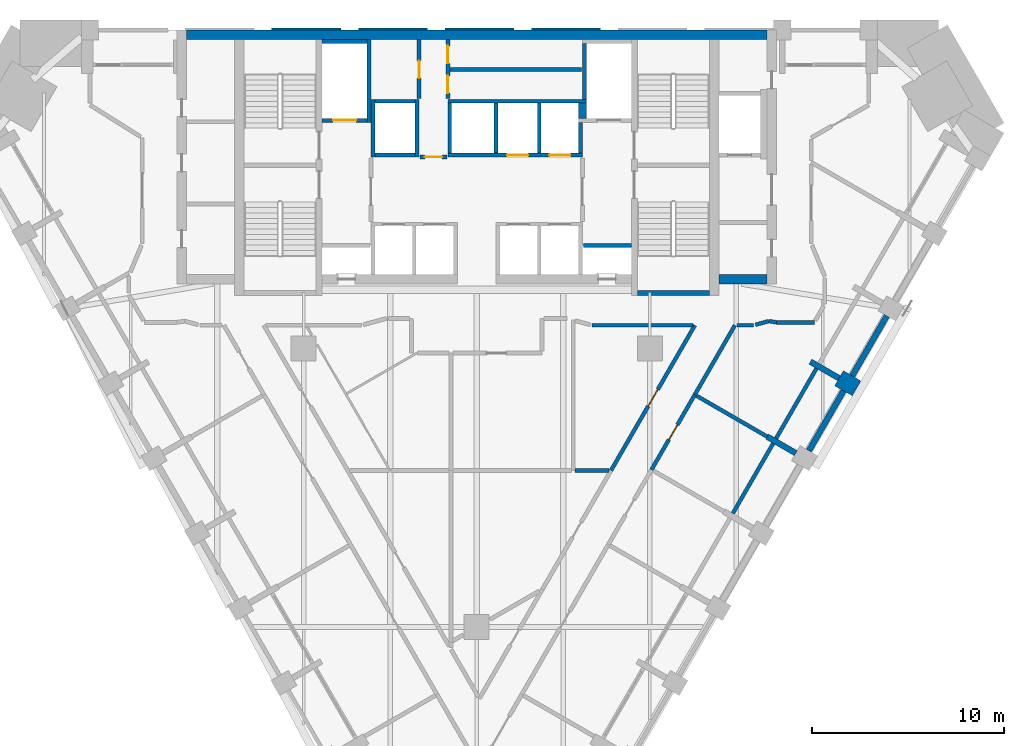
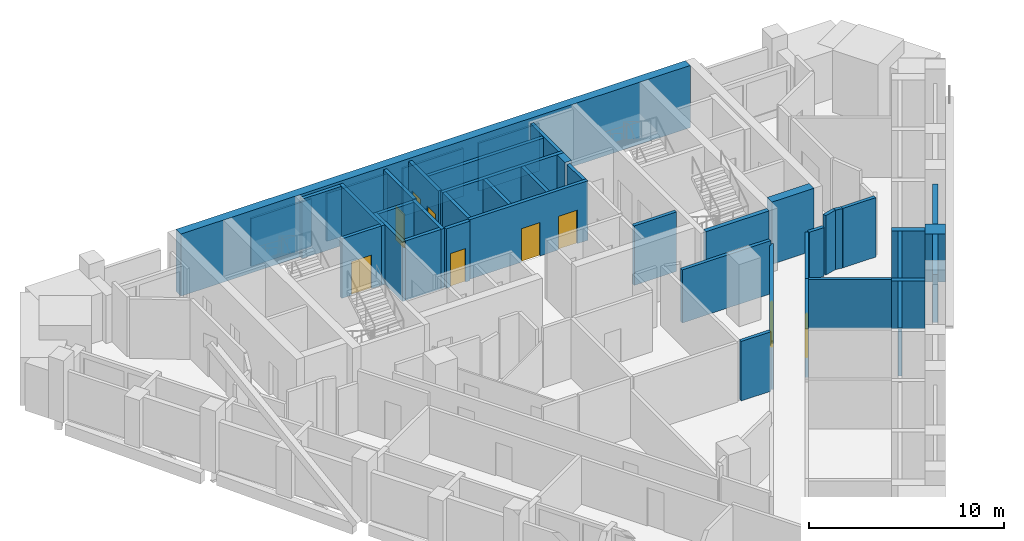
# One storey, part 6 of 9: 44 walls, 9 doors, 9 openings.
"""IFC4 building model written with IfcOpenShell, lengths in metres."""

from ifc_helpers import new_model, si_unit, direction, frame, frame_2d, origin, place, context, subcontext, project, spatial, polyline, rectangle, outline, extrude, material, layer, layer_set, type_object, element, fill, save


model = new_model("IFC4")

# Units and contexts
model_context = context("Model", 3, precision=1e-05, world=origin(), true_north=direction((0.0, 1.0)))
body_context = subcontext(model_context, "Body", "Model", "MODEL_VIEW")
ifc_project = project(units=[si_unit("LENGTHUNIT", "METRE"), si_unit("AREAUNIT", "SQUARE_METRE"), si_unit("VOLUMEUNIT", "CUBIC_METRE"), si_unit("PLANEANGLEUNIT", "RADIAN"), si_unit("MASSUNIT", "GRAM", prefix="KILO")], contexts=[model_context])

# Site, building, storey
site_placement = place(None, origin())
site = spatial("IfcSite", under=ifc_project, at=site_placement, CompositionType="ELEMENT")
building_placement = place(site_placement, origin())
building = spatial("IfcBuilding", under=site, at=building_placement, Name="Calabash Gate Tower", CompositionType="ELEMENT")
storey_placement = place(building_placement, frame((0.0, 0.0, 160.199951171875)))
storey = spatial("IfcBuildingStorey", under=building, at=storey_placement, Name="L37", CompositionType="ELEMENT", Elevation=160.199951171875)

# Walls
ifc_material_1 = material(Name="Terracotta brick masonry, exposed face", Category="masonry")
ifc_layer_1 = layer(ifc_material_1, 1.050048828125)
ifc_layer_set_1 = layer_set([ifc_layer_1], Name="Brick end wall 1050")
wall_type_1 = type_object("IfcWallType", Name="Brick end wall 1050", PredefinedType="SOLIDWALL", material=ifc_layer_set_1)
wall_1_placement = place(storey_placement, frame((19.7587890625, 0.417724609375, 0.0), z_axis=(0.0, 0.0, 1.0), x_axis=(-0.86592997719, 0.500165247297, 0.0)))
element("IfcWall", 1, at=wall_1_placement, inside=storey, type_object=wall_type_1, Name="Brick pier S10 SE4.5", PredefinedType="SOLIDWALL", context=body_context, shape_type="SweptSolid", body=[
    extrude(rectangle(XDim=1.050048828125, YDim=0.89990234375, at=frame_2d((0.52490234375, 0.0))), origin(), (0.0, 0.0, 1.0), 3.0),
])
ifc_material_2 = material(Name="Terracotta brick masonry, exposed face", Category="masonry")
ifc_layer_2 = layer(ifc_material_2, 0.300048828125)
ifc_layer_set_2 = layer_set([ifc_layer_2], Name="Brick infill panel wall 300")
wall_type_2 = type_object("IfcWallType", Name="Brick infill panel wall 300", PredefinedType="SOLIDWALL", material=ifc_layer_set_2)
wall_2_placement = place(storey_placement, frame((17.279296875, -2.8271484375, 0.0), z_axis=(0.0, 0.0, 1.0), x_axis=(0.500012057535, 0.866018442252, 0.0)))
element("IfcWall", 2, at=wall_2_placement, inside=storey, type_object=wall_type_2, Name="Brick panel S10 SE4.5", PredefinedType="SOLIDWALL", context=body_context, shape_type="SweptSolid", body=[
    extrude(rectangle(XDim=3.60009765625, YDim=0.300048828125, at=frame_2d((1.800048828125, 0.0))), origin(), (0.0, 0.0, 1.0), 3.0),
])
wall_3_placement = place(storey_placement, frame((19.529296875, 1.070068359375, 0.0), z_axis=(0.0, 0.0, 1.0), x_axis=(0.50001992892, 0.866013897511, 0.0)))
element("IfcWall", 3, at=wall_3_placement, inside=storey, type_object=wall_type_2, Name="Brick panel S10 SE4.6", PredefinedType="SOLIDWALL", context=body_context, shape_type="SweptSolid", body=[
    extrude(rectangle(XDim=3.599365234375, YDim=0.300048828125, at=frame_2d((1.7998046875, 0.0))), origin(), (0.0, 0.0, 1.0), 3.0),
])
ifc_material_3 = material(Name="Terracotta brick masonry, exposed face", Category="masonry")
ifc_layer_3 = layer(ifc_material_3, 0.300048828125)
ifc_layer_set_3 = layer_set([ifc_layer_3], Name="Brick loggia cheek wall 300")
wall_type_3 = type_object("IfcWallType", Name="Brick loggia cheek wall 300", PredefinedType="SOLIDWALL", material=ifc_layer_set_3)
for number, where, z_axis, x_axis, name in (
    (4, (16.599365234375, -2.954345703125, 0.0), (0.0, 0.0, 1.0), (-0.86597814115, 0.500081852351, 0.0), "Loggia cheek S10 SE4.4"),
    (5, (18.849609375, 0.94287109375, 0.0), (0.0, 0.0, 1.0), (-0.866074815912, 0.499914405916, 0.0), "Loggia cheek S10 SE4.5"),
):
    element("IfcWall", number, at=place(storey_placement, frame(where, z_axis=z_axis, x_axis=x_axis)), inside=storey, type_object=wall_type_3, Name=name, PredefinedType="SOLIDWALL", context=body_context, shape_type="SweptSolid", body=[
        extrude(rectangle(XDim=1.724853515625, YDim=0.300048828125, at=frame_2d((0.8623046875, 0.0))), origin(), (0.0, 0.0, 1.0), 3.0),
    ])
ifc_material_4 = material(Name="Concrete C70/85", Category="concrete")
ifc_layer_4 = layer(ifc_material_4, 0.25)
ifc_layer_set_4 = layer_set([ifc_layer_4], Name="Core wall 250 Concrete C70/85")
wall_type_4 = type_object("IfcWallType", Name="Core wall 250 Concrete C70/85", PredefinedType="SHEAR", material=ifc_layer_set_4)
wall_4_placement = place(storey_placement, frame((8.35009765625, 5.377685546875, 0.0), z_axis=(0.0, 0.0, 1.0), x_axis=(1.0, 0.0, 0.0)))
element("IfcWall", 6, at=wall_4_placement, inside=storey, type_object=wall_type_4, Name="Core wall Z3-SSE L37", PredefinedType="SHEAR", context=body_context, shape_type="SweptSolid", body=[
    extrude(rectangle(XDim=3.75, YDim=0.25, at=frame_2d((1.875, 0.0))), origin(), (0.0, 0.0, 1.0), 3.900146484375),
])
ifc_material_5 = material(Name="Concrete C70/85", Category="concrete")
ifc_layer_5 = layer(ifc_material_5, 0.5)
ifc_layer_set_5 = layer_set([ifc_layer_5], Name="Core wall 500 Concrete C70/85")
wall_type_5 = type_object("IfcWallType", Name="Core wall 500 Concrete C70/85", PredefinedType="SHEAR", material=ifc_layer_set_5)
wall_5_placement = place(storey_placement, frame((-15.10009765625, 18.802490234375, 0.0), z_axis=(0.0, 0.0, 1.0), x_axis=(1.0, 0.0, 0.0)))
element("IfcWall", 7, at=wall_5_placement, inside=storey, type_object=wall_type_5, Name="Core wall Z3-N L37", PredefinedType="SHEAR", context=body_context, shape_type="SweptSolid", body=[
    extrude(rectangle(XDim=30.2001953125, YDim=0.5, at=frame_2d((15.10009765625, 0.0))), origin(), (0.0, 0.0, 1.0), 3.900146484375),
])
wall_6_placement = place(storey_placement, frame((12.60009765625, 6.1025390625, 0.0), z_axis=(0.0, 0.0, 1.0), x_axis=(1.0, 0.0, 0.0)))
element("IfcWall", 8, at=wall_6_placement, inside=storey, type_object=wall_type_5, Name="Core wall Z3-SE L37", PredefinedType="SHEAR", context=body_context, shape_type="SweptSolid", body=[
    extrude(rectangle(XDim=2.5, YDim=0.5, at=frame_2d((1.25, 0.0))), origin(), (0.0, 0.0, 1.0), 3.900146484375),
])
ifc_material_6 = material(Name="Gypsum board on steel studs, mineral wool", Category="steel")
ifc_layer_6 = layer(ifc_material_6, 0.199951171875)
ifc_layer_set_6 = layer_set([ifc_layer_6], Name="Partition 200 gypsum board EI 60")
wall_type_6 = type_object("IfcWallType", Name="Partition 200 gypsum board EI 60", PredefinedType="PARTITIONING", material=ifc_layer_set_6)
wall_7_placement = place(storey_placement, frame((5.120849609375, -3.855712890625, 0.0), z_axis=(0.0, 0.0, 1.0), x_axis=(0.999999529486, -0.000970066062, 0.0)))
element("IfcWall", 9, at=wall_7_placement, inside=storey, type_object=wall_type_6, Name="Partition", PredefinedType="PARTITIONING", context=body_context, shape_type="SweptSolid", body=[
    extrude(rectangle(XDim=1.76171875, YDim=0.199951171875, at=frame_2d((0.880859375, 0.0))), origin(), (0.0, 0.0, 1.0), 3.72998046875),
])

# Wall, opening, door
wall_8_placement = place(storey_placement, frame((6.983642578125, -3.85546875, 0.0), z_axis=(0.0, 0.0, 1.0), x_axis=(0.500195547237, 0.865912475095, 0.0)))
wall_8 = element("IfcWall", 10, at=wall_8_placement, inside=storey, type_object=wall_type_6, Name="Partition", PredefinedType="PARTITIONING", context=body_context, shape_type="SweptSolid", body=[
    extrude(rectangle(XDim=8.72509765625, YDim=0.199951171875, at=frame_2d((4.362548828125, 0.0))), origin(), (0.0, 0.0, 1.0), 3.052001953125),
])
opening_1_placement = place(wall_8_placement, frame((3.861328125, 0.0, 0.0)))
opening_1 = element("IfcOpeningElement", 11, at=opening_1_placement, cuts=wall_8, Name="Opening 36-38-007", PredefinedType="OPENING", context=body_context, shape_type="SweptSolid", body=[
    extrude(rectangle(XDim=1.0, YDim=2.10009765625, at=frame_2d((0.5, 1.050048828125))), frame((0.0, 0.10986328125, 0.0), z_axis=(0.0, -1.0, 0.0), x_axis=(1.0, 0.0, 0.0)), (0.0, 0.0, 1.0), 0.219970703125),
])
ifc_material_7 = material(Name="Steel fire door set with fire-resisting glazing", Category="steel")
door_type_1 = type_object("IfcDoorType", Name="LD2 Meeting room door 1000x2100", OperationType="NOTDEFINED", PredefinedType="DOOR", material=ifc_material_7)
door_1_placement = place(opening_1_placement, origin())
door_1 = element("IfcDoor", 12, at=door_1_placement, inside=storey, type_object=door_type_1, Name="Meeting room door", OperationType="SINGLE_SWING_LEFT", OverallHeight=2.10009765625, OverallWidth=1.0, PredefinedType="DOOR", context=body_context, shape_type="SweptSolid", body=[
    extrude(rectangle(XDim=1.0, YDim=2.10009765625, at=frame_2d((0.5, 1.050048828125))), frame((0.0, 0.02490234375, 0.0), z_axis=(0.0, -1.0, 0.0), x_axis=(1.0, 0.0, 0.0)), (0.0, 0.0, 1.0), 0.050048828125),
])
fill(opening_1, door_1)

# Wall
wall_9_placement = place(storey_placement, frame((11.426513671875, 0.03466796875, 0.0), z_axis=(0.0, 0.0, 1.0), x_axis=(0.865857330643, -0.500290998291, 0.0)))
element("IfcWall", 13, at=wall_9_placement, inside=storey, type_object=wall_type_6, Name="Partition", PredefinedType="PARTITIONING", context=body_context, shape_type="SweptSolid", body=[
    extrude(rectangle(XDim=4.24951171875, YDim=0.199951171875, at=frame_2d((2.124755859375, 0.0))), origin(), (0.0, 0.0, 1.0), 3.052001953125),
])

# Wall, opening, door
wall_10_placement = place(storey_placement, frame((9.09033203125, -3.814697265625, 0.0), z_axis=(0.0, 0.0, 1.0), x_axis=(0.499972939495, 0.866041026611, 0.0)))
wall_10 = element("IfcWall", 14, at=wall_10_placement, inside=storey, type_object=wall_type_6, Name="Partition", PredefinedType="PARTITIONING", context=body_context, shape_type="SweptSolid", body=[
    extrude(rectangle(XDim=4.499755859375, YDim=0.199951171875, at=frame_2d((2.25, 0.0))), origin(), (0.0, 0.0, 1.0), 3.052001953125),
])
opening_2_placement = place(wall_10_placement, frame((1.7998046875, 0.0, 0.0)))
opening_2 = element("IfcOpeningElement", 15, at=opening_2_placement, cuts=wall_10, Name="Opening 36-38-005", PredefinedType="OPENING", context=body_context, shape_type="SweptSolid", body=[
    extrude(rectangle(XDim=0.89990234375, YDim=2.10009765625, at=frame_2d((0.449951171875, 1.050048828125))), frame((0.0, 0.10986328125, 0.0), z_axis=(0.0, -1.0, 0.0), x_axis=(1.0, 0.0, 0.0)), (0.0, 0.0, 1.0), 0.219970703125),
])
ifc_material_8 = material(Name="Painted timber door", Category="wood")
door_type_2 = type_object("IfcDoorType", Name="OD1 Office door 900x2100", OperationType="NOTDEFINED", PredefinedType="DOOR", material=ifc_material_8)
door_2_placement = place(opening_2_placement, origin())
door_2 = element("IfcDoor", 16, at=door_2_placement, inside=storey, type_object=door_type_2, Name="Office door", OperationType="SINGLE_SWING_RIGHT", OverallHeight=2.10009765625, OverallWidth=0.89990234375, PredefinedType="DOOR", context=body_context, shape_type="SweptSolid", body=[
    extrude(rectangle(XDim=0.89990234375, YDim=2.10009765625, at=frame_2d((0.449951171875, 1.050048828125))), frame((0.0, 0.02490234375, 0.0), z_axis=(0.0, -1.0, 0.0), x_axis=(1.0, 0.0, 0.0)), (0.0, 0.0, 1.0), 0.050048828125),
])
fill(opening_2, door_2)

# Walls
wall_11_placement = place(storey_placement, frame((6.0, 3.69970703125, 0.0), z_axis=(0.0, 0.0, 1.0), x_axis=(1.0, 0.0, 0.0)))
element("IfcWall", 17, at=wall_11_placement, inside=storey, type_object=wall_type_6, Name="Partition", PredefinedType="PARTITIONING", context=body_context, shape_type="SweptSolid", body=[
    extrude(rectangle(XDim=5.247802734375, YDim=0.199951171875, at=frame_2d((2.6240234375, 0.0))), origin(), (0.0, 0.0, 1.0), 3.33154296875),
])
wall_12_placement = place(storey_placement, frame((11.340576171875, 0.08251953125, 0.0), z_axis=(0.0, 0.0, 1.0), x_axis=(0.499673523279, 0.866213813174, 0.0)))
element("IfcWall", 18, at=wall_12_placement, inside=storey, type_object=wall_type_6, Name="Partition", PredefinedType="PARTITIONING", context=body_context, shape_type="SweptSolid", body=[
    extrude(rectangle(XDim=4.175537109375, YDim=0.199951171875, at=frame_2d((2.087890625, 0.0))), origin(), (0.0, 0.0, 1.0), 3.052001953125),
])
wall_13_placement = place(storey_placement, frame((13.52685546875, 3.699462890625, 0.0), z_axis=(0.0, 0.0, 1.0), x_axis=(1.0, 0.0, 0.0)))
element("IfcWall", 19, at=wall_13_placement, inside=storey, type_object=wall_type_6, Name="Partition", PredefinedType="PARTITIONING", context=body_context, shape_type="SweptSolid", body=[
    extrude(rectangle(XDim=0.873046875, YDim=0.199951171875, at=frame_2d((0.4365234375, 0.0))), origin(), (0.0, 0.0, 1.0), 3.052001953125),
])
wall_14_placement = place(storey_placement, frame((15.193359375, 3.91455078125, 0.0), z_axis=(0.0, 0.0, 1.0), x_axis=(0.988399116328, -0.15187885581, 0.0)))
element("IfcWall", 20, at=wall_14_placement, inside=storey, type_object=wall_type_6, Name="Partition", PredefinedType="PARTITIONING", context=body_context, shape_type="SweptSolid", body=[
    extrude(rectangle(XDim=0.41162109375, YDim=0.199951171875, at=frame_2d((0.205810546875, 0.0))), origin(), (0.0, 0.0, 1.0), 3.72998046875),
])
wall_15_placement = place(storey_placement, frame((15.60009765625, 3.85205078125, 0.0), z_axis=(0.0, 0.0, 1.0), x_axis=(1.0, 0.0, 0.0)))
element("IfcWall", 21, at=wall_15_placement, inside=storey, type_object=wall_type_6, Name="Partition", PredefinedType="PARTITIONING", context=body_context, shape_type="SweptSolid", body=[
    extrude(rectangle(XDim=1.956298828125, YDim=0.199951171875, at=frame_2d((0.97802734375, 0.0))), origin(), (0.0, 0.0, 1.0), 3.72998046875),
])
wall_16_placement = place(storey_placement, frame((14.49658203125, 3.7255859375, 0.0), z_axis=(0.0, 0.0, 1.0), x_axis=(0.965137431954, 0.26174364833, 0.0)))
element("IfcWall", 22, at=wall_16_placement, inside=storey, type_object=wall_type_6, Name="Partition", PredefinedType="PARTITIONING", context=body_context, shape_type="SweptSolid", body=[
    extrude(rectangle(XDim=0.721923828125, YDim=0.199951171875, at=frame_2d((0.36083984375, 0.0))), origin(), (0.0, 0.0, 1.0), 3.72998046875),
])
ifc_material_9 = material(Name="Concrete C40/50", Category="concrete")
ifc_layer_7 = layer(ifc_material_9, 0.199951171875)
ifc_layer_set_7 = layer_set([ifc_layer_7], Name="Shaft wall 200 Concrete C40/50")
wall_type_7 = type_object("IfcWallType", Name="Shaft wall 200 Concrete C40/50", PredefinedType="SOLIDWALL", material=ifc_layer_set_7)
wall_17_placement = place(storey_placement, frame((5.550048828125, 7.8525390625, 0.0), z_axis=(0.0, 0.0, 1.0), x_axis=(1.0, 0.0, 0.0)))
element("IfcWall", 23, at=wall_17_placement, inside=storey, type_object=wall_type_7, Name="Shaft wall", PredefinedType="SOLIDWALL", context=body_context, shape_type="SweptSolid", body=[
    extrude(rectangle(XDim=2.5, YDim=0.199951171875, at=frame_2d((1.25, 0.0))), origin(), (0.0, 0.0, 1.0), 3.72998046875),
])

# Wall, opening, door
wall_18_placement = place(storey_placement, frame((-2.949951171875, 12.45263671875, 0.0), z_axis=(0.0, 0.0, 1.0), x_axis=(1.0, 0.0, 0.0)))
wall_18 = element("IfcWall", 24, at=wall_18_placement, inside=storey, type_object=wall_type_7, Name="Shaft wall", PredefinedType="SOLIDWALL", context=body_context, shape_type="SweptSolid", body=[
    extrude(rectangle(XDim=1.39990234375, YDim=0.199951171875, at=frame_2d((0.699951171875, 0.0))), origin(), (0.0, 0.0, 1.0), 3.72998046875),
])
opening_3_placement = place(wall_18_placement, frame((0.25, 0.0, 0.0)))
opening_3 = element("IfcOpeningElement", 25, at=opening_3_placement, cuts=wall_18, Name="Opening O2-007", PredefinedType="OPENING", context=body_context, shape_type="SweptSolid", body=[
    extrude(rectangle(XDim=0.89990234375, YDim=2.10009765625, at=frame_2d((0.449951171875, 1.050048828125))), frame((0.0, 0.10986328125, 0.0), z_axis=(0.0, -1.0, 0.0), x_axis=(1.0, 0.0, 0.0)), (0.0, 0.0, 1.0), 0.219970703125),
])
ifc_material_10 = material(Name="Steel fire door set with fire-resisting glazing", Category="steel")
door_type_3 = type_object("IfcDoorType", Name="Fire door D06 900x2100 FD60", OperationType="NOTDEFINED", PredefinedType="DOOR", material=ifc_material_10)
door_3_placement = place(opening_3_placement, origin())
door_3 = element("IfcDoor", 26, at=door_3_placement, inside=storey, type_object=door_type_3, Name="Service Corridor door", OperationType="SINGLE_SWING_RIGHT", OverallHeight=2.10009765625, OverallWidth=0.89990234375, PredefinedType="DOOR", context=body_context, shape_type="SweptSolid", body=[
    extrude(rectangle(XDim=0.89990234375, YDim=2.10009765625, at=frame_2d((0.449951171875, 1.050048828125))), frame((0.0, 0.02490234375, 0.0), z_axis=(0.0, -1.0, 0.0), x_axis=(1.0, 0.0, 0.0)), (0.0, 0.0, 1.0), 0.050048828125),
])
fill(opening_3, door_3)

# Walls
wall_19_placement = place(storey_placement, frame((-5.39990234375, 12.45263671875, 0.0), z_axis=(0.0, 0.0, 1.0), x_axis=(0.0, 1.0, 0.0)))
element("IfcWall", 27, at=wall_19_placement, inside=storey, type_object=wall_type_7, Name="Shaft wall", PredefinedType="SOLIDWALL", context=body_context, shape_type="SweptSolid", body=[
    extrude(rectangle(XDim=3.0, YDim=0.199951171875, at=frame_2d((1.5, 0.0))), origin(), (0.0, 0.0, 1.0), 3.72998046875),
])
wall_20_placement = place(storey_placement, frame((-5.300048828125, 12.552490234375, 0.0), z_axis=(0.0, 0.0, 1.0), x_axis=(1.0, 0.0, 0.0)))
element("IfcWall", 28, at=wall_20_placement, inside=storey, type_object=wall_type_7, Name="Shaft wall", PredefinedType="SOLIDWALL", context=body_context, shape_type="SweptSolid", body=[
    extrude(rectangle(XDim=2.10009765625, YDim=0.199951171875, at=frame_2d((1.050048828125, 0.0))), origin(), (0.0, 0.0, 1.0), 3.72998046875),
])
wall_21_placement = place(storey_placement, frame((-3.10009765625, 12.45263671875, 0.0), z_axis=(0.0, 0.0, 1.0), x_axis=(0.0, 1.0, 0.0)))
element("IfcWall", 29, at=wall_21_placement, inside=storey, type_object=wall_type_7, Name="Shaft wall", PredefinedType="SOLIDWALL", context=body_context, shape_type="SweptSolid", body=[
    extrude(rectangle(XDim=3.0, YDim=0.199951171875, at=frame_2d((1.5, 0.0))), origin(), (0.0, 0.0, 1.0), 3.72998046875),
])

# Wall, openings, doors
wall_22_placement = place(storey_placement, frame((-1.5, 12.552490234375, 0.0), z_axis=(0.0, 0.0, 1.0), x_axis=(1.0, 0.0, 0.0)))
wall_22 = element("IfcWall", 30, at=wall_22_placement, inside=storey, type_object=wall_type_7, Name="Shaft wall", PredefinedType="SOLIDWALL", context=body_context, shape_type="SweptSolid", body=[
    extrude(rectangle(XDim=7.0, YDim=0.199951171875, at=frame_2d((3.5, 0.0))), origin(), (0.0, 0.0, 1.0), 3.72998046875),
])
opening_4_placement = place(wall_22_placement, frame((3.074951171875, 0.0, 0.0)))
opening_4 = element("IfcOpeningElement", 31, at=opening_4_placement, cuts=wall_22, Name="Opening LD-HR5", PredefinedType="OPENING", context=body_context, shape_type="SweptSolid", body=[
    extrude(rectangle(XDim=1.10009765625, YDim=2.10009765625, at=frame_2d((0.550048828125, 1.050048828125))), frame((0.0, 0.10986328125, 0.0), z_axis=(0.0, -1.0, 0.0), x_axis=(1.0, 0.0, 0.0)), (0.0, 0.0, 1.0), 0.219970703125),
])
opening_5_placement = place(wall_22_placement, frame((5.27490234375, 0.0, 0.0)))
opening_5 = element("IfcOpeningElement", 32, at=opening_5_placement, cuts=wall_22, Name="Opening LD-HR6", PredefinedType="OPENING", context=body_context, shape_type="SweptSolid", body=[
    extrude(rectangle(XDim=1.10009765625, YDim=2.10009765625, at=frame_2d((0.550048828125, 1.050048828125))), frame((0.0, 0.10986328125, 0.0), z_axis=(0.0, -1.0, 0.0), x_axis=(1.0, 0.0, 0.0)), (0.0, 0.0, 1.0), 0.219970703125),
])
ifc_material_11 = material(Name="Stainless steel sliding door leaves", Category="steel")
door_type_4 = type_object("IfcDoorType", Name="Lift landing door LS1 1100x2100 FD90", OperationType="DOUBLE_DOOR_SLIDING", PredefinedType="DOOR", material=ifc_material_11)
door_4_placement = place(opening_4_placement, origin())
door_4 = element("IfcDoor", 33, at=door_4_placement, inside=storey, type_object=door_type_4, Name="Lift landing door HR5", OperationType="DOUBLE_DOOR_SLIDING", OverallHeight=2.10009765625, OverallWidth=1.10009765625, PredefinedType="DOOR", context=body_context, shape_type="SweptSolid", body=[
    extrude(rectangle(XDim=1.10009765625, YDim=2.10009765625, at=frame_2d((0.550048828125, 1.050048828125))), frame((0.0, 0.02490234375, 0.0), z_axis=(0.0, -1.0, 0.0), x_axis=(1.0, 0.0, 0.0)), (0.0, 0.0, 1.0), 0.050048828125),
])
fill(opening_4, door_4)
door_5_placement = place(opening_5_placement, origin())
door_5 = element("IfcDoor", 34, at=door_5_placement, inside=storey, type_object=door_type_4, Name="Lift landing door HR6", OperationType="DOUBLE_DOOR_SLIDING", OverallHeight=2.10009765625, OverallWidth=1.10009765625, PredefinedType="DOOR", context=body_context, shape_type="SweptSolid", body=[
    extrude(rectangle(XDim=1.10009765625, YDim=2.10009765625, at=frame_2d((0.550048828125, 1.050048828125))), frame((0.0, 0.02490234375, 0.0), z_axis=(0.0, -1.0, 0.0), x_axis=(1.0, 0.0, 0.0)), (0.0, 0.0, 1.0), 0.050048828125),
])
fill(opening_5, door_5)

# Walls
for number, where, z_axis, x_axis, name in (
    (35, (-1.39990234375, 12.652587890625, 0.0), (0.0, 0.0, 1.0), (0.0, 1.0, 0.0), "Shaft wall"),
    (36, (1.0, 12.652587890625, 0.0), (0.0, 0.0, 1.0), (0.0, 1.0, 0.0), "Shaft wall"),
    (37, (3.25, 12.652587890625, 0.0), (0.0, 0.0, 1.0), (0.0, 1.0, 0.0), "Shaft wall"),
):
    element("IfcWall", number, at=place(storey_placement, frame(where, z_axis=z_axis, x_axis=x_axis)), inside=storey, type_object=wall_type_7, Name=name, PredefinedType="SOLIDWALL", context=body_context, shape_type="SweptSolid", body=[
        extrude(rectangle(XDim=2.60009765625, YDim=0.199951171875, at=frame_2d((1.300048828125, 0.0))), origin(), (0.0, 0.0, 1.0), 3.72998046875),
    ])
wall_23_placement = place(storey_placement, frame((5.39990234375, 12.652587890625, 0.0), z_axis=(0.0, 0.0, 1.0), x_axis=(0.0, 1.0, 0.0)))
element("IfcWall", 38, at=wall_23_placement, inside=storey, type_object=wall_type_7, Name="Shaft wall", PredefinedType="SOLIDWALL", context=body_context, shape_type="SweptSolid", body=[
    extrude(rectangle(XDim=1.60009765625, YDim=0.199951171875, at=frame_2d((0.800048828125, 0.0))), origin(), (0.0, 0.0, 1.0), 3.72998046875),
])

# Wall, opening, door
wall_24_placement = place(storey_placement, frame((-8.050048828125, 14.3525390625, 0.0), z_axis=(0.0, 0.0, 1.0), x_axis=(1.0, 0.0, 0.0)))
wall_24 = element("IfcWall", 39, at=wall_24_placement, inside=storey, type_object=wall_type_7, Name="Shaft wall", PredefinedType="SOLIDWALL", context=body_context, shape_type="SweptSolid", body=[
    extrude(rectangle(XDim=2.35009765625, YDim=0.199951171875, at=frame_2d((1.175048828125, 0.0))), origin(), (0.0, 0.0, 1.0), 3.72998046875),
])
opening_6_placement = place(wall_24_placement, frame((0.574951171875, 0.0, 0.0)))
opening_6 = element("IfcOpeningElement", 40, at=opening_6_placement, cuts=wall_24, Name="Opening LD-FF1", PredefinedType="OPENING", context=body_context, shape_type="SweptSolid", body=[
    extrude(rectangle(XDim=1.199951171875, YDim=2.10009765625, at=frame_2d((0.60009765625, 1.050048828125))), frame((0.0, 0.10986328125, 0.0), z_axis=(0.0, -1.0, 0.0), x_axis=(1.0, 0.0, 0.0)), (0.0, 0.0, 1.0), 0.219970703125),
])
ifc_material_12 = material(Name="Stainless steel sliding door leaves", Category="steel")
door_type_5 = type_object("IfcDoorType", Name="Lift landing door LS3 1200x2100 FD90", OperationType="DOUBLE_DOOR_SLIDING", PredefinedType="DOOR", material=ifc_material_12)
door_6_placement = place(opening_6_placement, origin())
door_6 = element("IfcDoor", 41, at=door_6_placement, inside=storey, type_object=door_type_5, Name="Lift landing door FF1", OperationType="DOUBLE_DOOR_SLIDING", OverallHeight=2.10009765625, OverallWidth=1.199951171875, PredefinedType="DOOR", context=body_context, shape_type="SweptSolid", body=[
    extrude(rectangle(XDim=1.199951171875, YDim=2.10009765625, at=frame_2d((0.60009765625, 1.050048828125))), frame((0.0, 0.02490234375, 0.0), z_axis=(0.0, -1.0, 0.0), x_axis=(1.0, 0.0, 0.0)), (0.0, 0.0, 1.0), 0.050048828125),
])
fill(opening_6, door_6)

# Walls
wall_25_placement = place(storey_placement, frame((-5.60009765625, 14.252685546875, 0.0), z_axis=(0.0, 0.0, 1.0), x_axis=(0.0, 1.0, 0.0)))
element("IfcWall", 42, at=wall_25_placement, inside=storey, type_object=wall_type_7, Name="Shaft wall", PredefinedType="SOLIDWALL", context=body_context, shape_type="SweptSolid", body=[
    extrude(rectangle(XDim=4.2998046875, YDim=0.199951171875, at=frame_2d((2.14990234375, 0.0))), origin(), (0.0, 0.0, 1.0), 3.72998046875),
])
wall_26_placement = place(storey_placement, frame((5.5, 14.45263671875, 0.0), z_axis=(0.0, 0.0, 1.0), x_axis=(0.0, 1.0, 0.0)))
element("IfcWall", 43, at=wall_26_placement, inside=storey, type_object=wall_type_7, Name="Shaft wall", PredefinedType="SOLIDWALL", context=body_context, shape_type="SweptSolid", body=[
    extrude(rectangle(XDim=0.800048828125, YDim=0.39990234375, at=frame_2d((0.39990234375, 0.0))), origin(), (0.0, 0.0, 1.0), 3.72998046875),
])
wall_27_placement = place(storey_placement, frame((-5.300048828125, 15.3525390625, 0.0), z_axis=(0.0, 0.0, 1.0), x_axis=(1.0, 0.0, 0.0)))
element("IfcWall", 44, at=wall_27_placement, inside=storey, type_object=wall_type_7, Name="Shaft wall", PredefinedType="SOLIDWALL", context=body_context, shape_type="SweptSolid", body=[
    extrude(rectangle(XDim=2.10009765625, YDim=0.199951171875, at=frame_2d((1.050048828125, 0.0))), origin(), (0.0, 0.0, 1.0), 3.72998046875),
])
wall_28_placement = place(storey_placement, frame((-1.5, 15.3525390625, 0.0), z_axis=(0.0, 0.0, 1.0), x_axis=(1.0, 0.0, 0.0)))
element("IfcWall", 45, at=wall_28_placement, inside=storey, type_object=wall_type_7, Name="Shaft wall", PredefinedType="SOLIDWALL", context=body_context, shape_type="SweptSolid", body=[
    extrude(rectangle(XDim=7.199951171875, YDim=0.199951171875, at=frame_2d((3.60009765625, 0.0))), origin(), (0.0, 0.0, 1.0), 3.72998046875),
])
wall_29_placement = place(storey_placement, frame((5.60009765625, 15.45263671875, 0.0), z_axis=(0.0, 0.0, 1.0), x_axis=(0.0, 1.0, 0.0)))
element("IfcWall", 46, at=wall_29_placement, inside=storey, type_object=wall_type_7, Name="Shaft wall", PredefinedType="SOLIDWALL", context=body_context, shape_type="SweptSolid", body=[
    extrude(rectangle(XDim=2.89990234375, YDim=0.199951171875, at=frame_2d((1.449951171875, 0.0))), origin(), (0.0, 0.0, 1.0), 3.72998046875),
])

# Wall, opening, door
wall_30_placement = place(storey_placement, frame((-3.0, 15.502685546875, 0.0), z_axis=(0.0, 0.0, 1.0), x_axis=(0.0, 1.0, 0.0)))
wall_30 = element("IfcWall", 47, at=wall_30_placement, inside=storey, type_object=wall_type_7, Name="Shaft wall", PredefinedType="SOLIDWALL", context=body_context, shape_type="SweptSolid", body=[
    extrude(rectangle(XDim=3.0498046875, YDim=0.199951171875, at=frame_2d((1.52490234375, 0.0))), origin(), (0.0, 0.0, 1.0), 3.72998046875),
])
opening_7_placement = place(wall_30_placement, frame((1.050048828125, 0.0, 0.0)))
opening_7 = element("IfcOpeningElement", 48, at=opening_7_placement, cuts=wall_30, Name="Opening O2-010", PredefinedType="OPENING", context=body_context, shape_type="SweptSolid", body=[
    extrude(rectangle(XDim=0.89990234375, YDim=2.10009765625, at=frame_2d((0.449951171875, 1.050048828125))), frame((0.0, 0.10986328125, 0.0), z_axis=(0.0, -1.0, 0.0), x_axis=(1.0, 0.0, 0.0)), (0.0, 0.0, 1.0), 0.219970703125),
])
door_7_placement = place(opening_7_placement, origin())
door_7 = element("IfcDoor", 49, at=door_7_placement, inside=storey, type_object=door_type_3, Name="Accessible WC door", OperationType="SINGLE_SWING_LEFT", OverallHeight=2.10009765625, OverallWidth=0.89990234375, PredefinedType="DOOR", context=body_context, shape_type="SweptSolid", body=[
    extrude(rectangle(XDim=0.89990234375, YDim=2.10009765625, at=frame_2d((0.449951171875, 1.050048828125))), frame((0.0, 0.02490234375, 0.0), z_axis=(0.0, -1.0, 0.0), x_axis=(1.0, 0.0, 0.0)), (0.0, 0.0, 1.0), 0.050048828125),
])
fill(opening_7, door_7)

# Wall, openings, doors
wall_31_placement = place(storey_placement, frame((-1.5, 15.502685546875, 0.0), z_axis=(0.0, 0.0, 1.0), x_axis=(0.0, 1.0, 0.0)))
wall_31 = element("IfcWall", 50, at=wall_31_placement, inside=storey, type_object=wall_type_7, Name="Shaft wall", PredefinedType="SOLIDWALL", context=body_context, shape_type="SweptSolid", body=[
    extrude(rectangle(XDim=3.0498046875, YDim=0.199951171875, at=frame_2d((1.52490234375, 0.0))), origin(), (0.0, 0.0, 1.0), 3.72998046875),
])
opening_8_placement = place(wall_31_placement, frame((0.27490234375, 0.0, 0.0)))
opening_8 = element("IfcOpeningElement", 51, at=opening_8_placement, cuts=wall_31, Name="Opening O2-011", PredefinedType="OPENING", context=body_context, shape_type="SweptSolid", body=[
    extrude(rectangle(XDim=0.89990234375, YDim=2.10009765625, at=frame_2d((0.449951171875, 1.050048828125))), frame((0.0, 0.10986328125, 0.0), z_axis=(0.0, -1.0, 0.0), x_axis=(1.0, 0.0, 0.0)), (0.0, 0.0, 1.0), 0.219970703125),
])
opening_9_placement = place(wall_31_placement, frame((1.824951171875, 0.0, 0.0)))
opening_9 = element("IfcOpeningElement", 52, at=opening_9_placement, cuts=wall_31, Name="Opening O2-012", PredefinedType="OPENING", context=body_context, shape_type="SweptSolid", body=[
    extrude(rectangle(XDim=0.89990234375, YDim=2.10009765625, at=frame_2d((0.449951171875, 1.050048828125))), frame((0.0, 0.10986328125, 0.0), z_axis=(0.0, -1.0, 0.0), x_axis=(1.0, 0.0, 0.0)), (0.0, 0.0, 1.0), 0.219970703125),
])
door_8_placement = place(opening_8_placement, origin())
door_8 = element("IfcDoor", 53, at=door_8_placement, inside=storey, type_object=door_type_3, Name="Tenant Pantry door", OperationType="SINGLE_SWING_LEFT", OverallHeight=2.10009765625, OverallWidth=0.89990234375, PredefinedType="DOOR", context=body_context, shape_type="SweptSolid", body=[
    extrude(rectangle(XDim=0.89990234375, YDim=2.10009765625, at=frame_2d((0.449951171875, 1.050048828125))), frame((0.0, 0.02490234375, 0.0), z_axis=(0.0, -1.0, 0.0), x_axis=(1.0, 0.0, 0.0)), (0.0, 0.0, 1.0), 0.050048828125),
])
fill(opening_8, door_8)
door_9_placement = place(opening_9_placement, origin())
door_9 = element("IfcDoor", 54, at=door_9_placement, inside=storey, type_object=door_type_3, Name="Print Room door", OperationType="SINGLE_SWING_LEFT", OverallHeight=2.10009765625, OverallWidth=0.89990234375, PredefinedType="DOOR", context=body_context, shape_type="SweptSolid", body=[
    extrude(rectangle(XDim=0.89990234375, YDim=2.10009765625, at=frame_2d((0.449951171875, 1.050048828125))), frame((0.0, 0.02490234375, 0.0), z_axis=(0.0, -1.0, 0.0), x_axis=(1.0, 0.0, 0.0)), (0.0, 0.0, 1.0), 0.050048828125),
])
fill(opening_9, door_9)

# Walls
wall_32_placement = place(storey_placement, frame((-1.39990234375, 17.002685546875, 0.0), z_axis=(0.0, 0.0, 1.0), x_axis=(1.0, 0.0, 0.0)))
element("IfcWall", 55, at=wall_32_placement, inside=storey, type_object=wall_type_7, Name="Shaft wall", PredefinedType="SOLIDWALL", context=body_context, shape_type="SweptSolid", body=[
    extrude(rectangle(XDim=6.849853515625, YDim=0.199951171875, at=frame_2d((3.4248046875, 0.0))), origin(), (0.0, 0.0, 1.0), 3.72998046875),
])
wall_33_placement = place(storey_placement, frame((-8.050048828125, 18.45263671875, 0.0), z_axis=(0.0, 0.0, 1.0), x_axis=(1.0, 0.0, 0.0)))
element("IfcWall", 56, at=wall_33_placement, inside=storey, type_object=wall_type_7, Name="Shaft wall", PredefinedType="SOLIDWALL", context=body_context, shape_type="SweptSolid", body=[
    extrude(rectangle(XDim=2.35009765625, YDim=0.199951171875, at=frame_2d((1.175048828125, 0.0))), origin(), (0.0, 0.0, 1.0), 3.72998046875),
])
ifc_material_13 = material(Name="Terracotta brick masonry, perforated", Category="masonry")
ifc_layer_8 = layer(ifc_material_13, 0.1201171875)
ifc_layer_set_8 = layer_set([ifc_layer_8], Name="Terracotta jaali cladding B 120")
wall_type_8 = type_object("IfcWallType", Name="Terracotta jaali cladding B 120", PredefinedType="SOLIDWALL", material=ifc_layer_set_8)
wall_34_placement = place(storey_placement, origin())
element("IfcWall", 57, at=wall_34_placement, inside=storey, type_object=wall_type_8, Name="Jaali cladding S10 N6.5", PredefinedType="SOLIDWALL", context=body_context, shape_type="SweptSolid", body=[
    extrude(outline(polyline([(-1.66259765625, 19.172607421875), (-1.66259765625, 19.052490234375), (1.9375, 19.052490234375), (1.9375, 19.172607421875), (-1.66259765625, 19.172607421875)])), origin(), (0.0, 0.0, 1.0), 3.0),
])
wall_35_placement = place(storey_placement, origin())
element("IfcWall", 58, at=wall_35_placement, inside=storey, type_object=wall_type_8, Name="Jaali cladding S10 N6.7", PredefinedType="SOLIDWALL", context=body_context, shape_type="SweptSolid", body=[
    extrude(outline(polyline([(-10.66259765625, 19.172607421875), (-10.66259765625, 19.052490234375), (-7.0625, 19.052490234375), (-7.0625, 19.172607421875), (-10.66259765625, 19.172607421875)])), origin(), (0.0, 0.0, 1.0), 3.0),
])
ifc_material_14 = material(Name="Terracotta louvre blades in an aluminium frame", Category="masonry")
ifc_layer_9 = layer(ifc_material_14, 0.1201171875)
ifc_layer_set_9 = layer_set([ifc_layer_9], Name="Terracotta vent louvre cladding 120")
wall_type_9 = type_object("IfcWallType", Name="Terracotta vent louvre cladding 120", PredefinedType="ELEMENTEDWALL", material=ifc_layer_set_9)
wall_36_placement = place(storey_placement, origin())
element("IfcWall", 59, at=wall_36_placement, inside=storey, type_object=wall_type_9, Name="Vent louvre cladding S10 N6.4", PredefinedType="ELEMENTEDWALL", context=body_context, shape_type="SweptSolid", body=[
    extrude(outline(polyline([(2.83740234375, 19.172607421875), (2.83740234375, 19.052490234375), (6.4375, 19.052490234375), (6.4375, 19.172607421875), (2.83740234375, 19.172607421875)])), origin(), (0.0, 0.0, 1.0), 3.0),
])
wall_37_placement = place(storey_placement, origin())
element("IfcWall", 60, at=wall_37_placement, inside=storey, type_object=wall_type_9, Name="Vent louvre cladding S10 N6.6", PredefinedType="ELEMENTEDWALL", context=body_context, shape_type="SweptSolid", body=[
    extrude(outline(polyline([(-6.16259765625, 19.172607421875), (-6.16259765625, 19.052490234375), (-2.5625, 19.052490234375), (-2.5625, 19.172607421875), (-6.16259765625, 19.172607421875)])), origin(), (0.0, 0.0, 1.0), 3.0),
])
ifc_material_15 = material(Name="Aluminium framed window wall with insulated spandrel", Category="aluminium")
ifc_layer_10 = layer(ifc_material_15, 0.199951171875)
ifc_layer_set_10 = layer_set([ifc_layer_10], Name="Window wall 200")
wall_type_10 = type_object("IfcWallType", Name="Window wall 200", PredefinedType="ELEMENTEDWALL", material=ifc_layer_set_10)
wall_38_placement = place(storey_placement, frame((13.3203125, -6.083984375, 0.0), z_axis=(0.0, 0.0, 1.0), x_axis=(0.500027713859, 0.866009402589, 0.0)))
element("IfcWall", 61, at=wall_38_placement, inside=storey, type_object=wall_type_10, Name="Window wall S10 SE4.4", PredefinedType="ELEMENTEDWALL", context=body_context, shape_type="SweptSolid", body=[
    extrude(rectangle(XDim=4.199951171875, YDim=0.199951171875, at=frame_2d((2.10009765625, 0.0))), origin(), (0.0, 0.0, 1.0), 3.0),
])
wall_39_placement = place(storey_placement, frame((15.5703125, -2.18701171875, 0.0), z_axis=(0.0, 0.0, 1.0), x_axis=(0.500002543286, 0.866023935413, 0.0)))
element("IfcWall", 62, at=wall_39_placement, inside=storey, type_object=wall_type_10, Name="Window wall S10 SE4.5", PredefinedType="ELEMENTEDWALL", context=body_context, shape_type="SweptSolid", body=[
    extrude(rectangle(XDim=4.2001953125, YDim=0.199951171875, at=frame_2d((2.10009765625, 0.0))), origin(), (0.0, 0.0, 1.0), 3.0),
])

save(model, "model.ifc")
